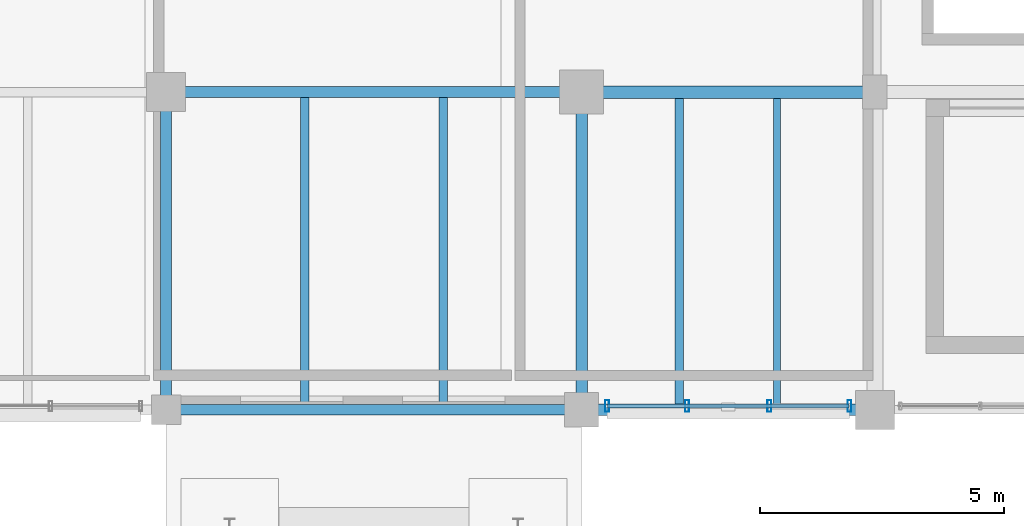
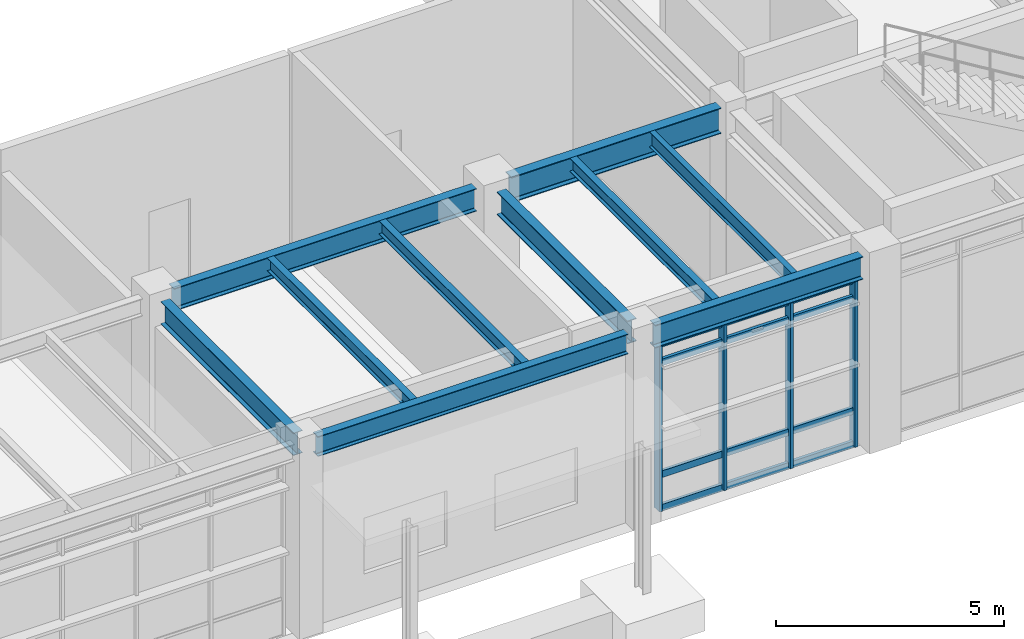
# One storey, part 108 of 203: 10 beams, 8 members, 1 element without a shape of its own.
"""IFC4 building model written with IfcOpenShell, lengths in metres."""

from ifc_helpers import new_model, si_unit, direction, frame, origin, origin_2d, place, context, subcontext, project, spatial, hollow_rectangle, i_section, extrude, material, material_profile, profile_set, type_object, element, aggregate, save


model = new_model("IFC4")

# Units and contexts
model_context = context("Model", 3, precision=1e-05, world=origin(), true_north=direction((0.0, 1.0)))
body_context = subcontext(model_context, "Body", "Model", "MODEL_VIEW")
ifc_project = project(units=[si_unit("LENGTHUNIT", "METRE"), si_unit("AREAUNIT", "SQUARE_METRE"), si_unit("VOLUMEUNIT", "CUBIC_METRE"), si_unit("PLANEANGLEUNIT", "RADIAN"), si_unit("MASSUNIT", "GRAM", prefix="KILO"), si_unit("THERMODYNAMICTEMPERATUREUNIT", "KELVIN"), si_unit("POWERUNIT", "WATT")], contexts=[model_context])

# Site, building, storey
site_placement = place(None, origin())
site = spatial("IfcSite", under=ifc_project, at=site_placement, CompositionType="ELEMENT")
building_placement = place(site_placement, origin())
building = spatial("IfcBuilding", under=site, at=building_placement, Name="Tepalcoro Natatorium and Aquatics Centre", CompositionType="ELEMENT")
storey_placement = place(building_placement, origin())
storey = spatial("IfcBuildingStorey", under=building, at=storey_placement, Name="L00", CompositionType="ELEMENT", Elevation=0.0)

# Beams
ifc_material_1 = material(Name="Steel ASTM A992 Grade 50 (Fy 345 MPa)", Category="steel")
ifc_material_profile_1 = material_profile(ifc_material_1, i_section(OverallWidth=0.22802734375, OverallDepth=0.60693359375, WebThickness=0.010986328125, FlangeThickness=0.01708984375, FilletRadius=0.013916015625, at=origin_2d()), Name="W24X76")
ifc_profile_set_1 = profile_set([ifc_material_profile_1], Name="Steel ASTM A992 Grade 50 (Fy 345 MPa)")
beam_type_1 = type_object("IfcBeamType", Name="BM_W24x76", PredefinedType="BEAM", material=ifc_profile_set_1)
beam_1_placement = place(storey_placement, frame((150.885009765625, 13.0, 4.821533203125), z_axis=(1.0, 0.0, 0.0), x_axis=(0.0, 1.0, 0.0)))
element("IfcBeam", 1, at=beam_1_placement, inside=storey, type_object=beam_type_1, Name="V2 L00 Grid Girder X", PredefinedType="BEAM", context=body_context, shape_type="SweptSolid", body=[
    extrude(i_section(OverallWidth=0.22802734375, OverallDepth=0.60693359375, WebThickness=0.010986328125, FlangeThickness=0.01708984375, FilletRadius=0.013916015625, at=origin_2d()), origin(), (0.0, 0.0, 1.0), 7.679931640625),
])
beam_2_placement = place(storey_placement, frame((150.5, 6.784912109375, 4.821533203125), z_axis=(0.0, 1.0, 0.0), x_axis=(-1.0, 0.0, 0.0)))
element("IfcBeam", 2, at=beam_2_placement, inside=storey, type_object=beam_type_1, Name="V2 L00 Grid Girder Y", PredefinedType="BEAM", context=body_context, shape_type="SweptSolid", body=[
    extrude(i_section(OverallWidth=0.22802734375, OverallDepth=0.60693359375, WebThickness=0.010986328125, FlangeThickness=0.01708984375, FilletRadius=0.013916015625, at=origin_2d()), origin(), (0.0, 0.0, 1.0), 5.830078125),
])
ifc_material_profile_2 = material_profile(ifc_material_1, i_section(OverallWidth=0.22998046875, OverallDepth=0.616943359375, WebThickness=0.012939453125, FlangeThickness=0.02197265625, FilletRadius=0.013916015625, at=origin_2d()), Name="W24X94")
ifc_profile_set_2 = profile_set([ifc_material_profile_2], Name="Steel ASTM A992 Grade 50 (Fy 345 MPa)")
beam_type_2 = type_object("IfcBeamType", Name="BM_W24x94", PredefinedType="BEAM", material=ifc_profile_set_2)
beam_3_placement = place(storey_placement, frame((159.0, 6.8349609375, 4.81640625), z_axis=(0.0, 1.0, 0.0), x_axis=(-1.0, 0.0, 0.0)))
element("IfcBeam", 3, at=beam_3_placement, inside=storey, type_object=beam_type_2, Name="V2 L00 Grid Girder Y", PredefinedType="BEAM", context=body_context, shape_type="SweptSolid", body=[
    extrude(i_section(OverallWidth=0.22998046875, OverallDepth=0.616943359375, WebThickness=0.012939453125, FlangeThickness=0.02197265625, FilletRadius=0.013916015625, at=origin_2d()), origin(), (0.0, 0.0, 1.0), 5.72998046875),
])
ifc_material_profile_3 = material_profile(ifc_material_1, i_section(OverallWidth=0.25390625, OverallDepth=0.68798828125, WebThickness=0.012939453125, FlangeThickness=0.02099609375, FilletRadius=0.013916015625, at=origin_2d()), Name="W27X102")
ifc_profile_set_3 = profile_set([ifc_material_profile_3], Name="Steel ASTM A992 Grade 50 (Fy 345 MPa)")
beam_type_3 = type_object("IfcBeamType", Name="BM_W27x102", PredefinedType="BEAM", material=ifc_profile_set_3)
beam_4_placement = place(storey_placement, frame((159.43505859375, 13.0, 4.781005859375), z_axis=(1.0, 0.0, 0.0), x_axis=(0.0, 1.0, 0.0)))
element("IfcBeam", 4, at=beam_4_placement, inside=storey, type_object=beam_type_3, Name="V2 L00 Grid Girder X", PredefinedType="BEAM", context=body_context, shape_type="SweptSolid", body=[
    extrude(i_section(OverallWidth=0.25390625, OverallDepth=0.68798828125, WebThickness=0.012939453125, FlangeThickness=0.02099609375, FilletRadius=0.013916015625, at=origin_2d()), origin(), (0.0, 0.0, 1.0), 5.329833984375),
])

# Curtain wall, members
ifc_material_2 = material(Name="Bronze-Anodised Extruded Aluminium Alloy EN AW-6063 T6", Category="aluminium")
curtain_wall_type = type_object("IfcCurtainWallType", Name="CW_V4_VILLAGE", PredefinedType="USERDEFINED", material=ifc_material_2)
curtain_wall_placement = place(storey_placement, origin())
curtain_wall = element("IfcCurtainWall", 5, at=curtain_wall_placement, inside=storey, type_object=curtain_wall_type, Name="V2 L00 S Unitised Curtain Wall Bay 3", ObjectType="UNITISED STOREFRONT", PredefinedType="USERDEFINED")
ifc_material_profile_4 = material_profile(ifc_material_2, hollow_rectangle(XDim=0.080078125, YDim=0.239990234375, WallThickness=0.0048828125, at=origin_2d()), Name="AL80X240X5")
ifc_profile_set_4 = profile_set([ifc_material_profile_4], Name="Bronze-Anodised Extruded Aluminium Alloy EN AW-6063 T6")
member_type_1 = type_object("IfcMemberType", Name="CW_MUL_80x240", PredefinedType="MULLION", material=ifc_profile_set_4)
member_1_placement = place(storey_placement, frame((159.52001953125, 6.576171875, 0.02001953125), z_axis=(0.0, 0.0, 1.0), x_axis=(1.0, 0.0, 0.0)))
member_1 = element("IfcMember", 6, at=member_1_placement, type_object=member_type_1, Name="CW_V4_VILLAGE Curtain Wall Mullion", PredefinedType="MULLION", context=body_context, shape_type="SweptSolid", body=[
    extrude(hollow_rectangle(XDim=0.080078125, YDim=0.239990234375, WallThickness=0.0048828125, at=origin_2d()), origin(), (0.0, 0.0, 1.0), 4.4580078125),
])
member_2_placement = place(storey_placement, frame((161.159912109375, 6.576171875, 0.02001953125), z_axis=(0.0, 0.0, 1.0), x_axis=(1.0, 0.0, 0.0)))
member_2 = element("IfcMember", 7, at=member_2_placement, type_object=member_type_1, Name="CW_V4_VILLAGE Curtain Wall Mullion", PredefinedType="MULLION", context=body_context, shape_type="SweptSolid", body=[
    extrude(hollow_rectangle(XDim=0.080078125, YDim=0.239990234375, WallThickness=0.0048828125, at=origin_2d()), origin(), (0.0, 0.0, 1.0), 4.4580078125),
])
member_3_placement = place(storey_placement, frame((162.840087890625, 6.576171875, 0.02001953125), z_axis=(0.0, 0.0, 1.0), x_axis=(1.0, 0.0, 0.0)))
member_3 = element("IfcMember", 8, at=member_3_placement, type_object=member_type_1, Name="CW_V4_VILLAGE Curtain Wall Mullion", PredefinedType="MULLION", context=body_context, shape_type="SweptSolid", body=[
    extrude(hollow_rectangle(XDim=0.080078125, YDim=0.239990234375, WallThickness=0.0048828125, at=origin_2d()), origin(), (0.0, 0.0, 1.0), 4.4580078125),
])
member_4_placement = place(storey_placement, frame((164.47998046875, 6.576171875, 0.02001953125), z_axis=(0.0, 0.0, 1.0), x_axis=(1.0, 0.0, 0.0)))
member_4 = element("IfcMember", 9, at=member_4_placement, type_object=member_type_1, Name="CW_V4_VILLAGE Curtain Wall Mullion", PredefinedType="MULLION", context=body_context, shape_type="SweptSolid", body=[
    extrude(hollow_rectangle(XDim=0.080078125, YDim=0.239990234375, WallThickness=0.0048828125, at=origin_2d()), origin(), (0.0, 0.0, 1.0), 4.4580078125),
])
ifc_material_profile_5 = material_profile(ifc_material_2, hollow_rectangle(XDim=0.080078125, YDim=0.179931640625, WallThickness=0.0048828125, at=origin_2d()), Name="AL80X180X5")
ifc_profile_set_5 = profile_set([ifc_material_profile_5], Name="Bronze-Anodised Extruded Aluminium Alloy EN AW-6063 T6")
member_type_2 = type_object("IfcMemberType", Name="CW_TRN_80x180", PredefinedType="USERDEFINED", material=ifc_profile_set_5)
member_5_placement = place(storey_placement, frame((159.530029296875, 6.576171875, 0.050048828125), z_axis=(1.0, 0.0, 0.0), x_axis=(0.0, 1.0, 0.0)))
member_5 = element("IfcMember", 10, at=member_5_placement, type_object=member_type_2, Name="CW_V4_VILLAGE Curtain Wall Transom", ObjectType="TRANSOM", PredefinedType="USERDEFINED", context=body_context, shape_type="SweptSolid", body=[
    extrude(hollow_rectangle(XDim=0.080078125, YDim=0.179931640625, WallThickness=0.0048828125, at=origin_2d()), origin(), (0.0, 0.0, 1.0), 4.93994140625),
])
member_6_placement = place(storey_placement, frame((159.530029296875, 6.576171875, 0.949951171875), z_axis=(1.0, 0.0, 0.0), x_axis=(0.0, 1.0, 0.0)))
member_6 = element("IfcMember", 11, at=member_6_placement, type_object=member_type_2, Name="CW_V4_VILLAGE Curtain Wall Transom", ObjectType="TRANSOM", PredefinedType="USERDEFINED", context=body_context, shape_type="SweptSolid", body=[
    extrude(hollow_rectangle(XDim=0.080078125, YDim=0.179931640625, WallThickness=0.0048828125, at=origin_2d()), origin(), (0.0, 0.0, 1.0), 4.93994140625),
])
member_7_placement = place(storey_placement, frame((159.530029296875, 6.576171875, 3.947998046875), z_axis=(1.0, 0.0, 0.0), x_axis=(0.0, 1.0, 0.0)))
member_7 = element("IfcMember", 12, at=member_7_placement, type_object=member_type_2, Name="CW_V4_VILLAGE Curtain Wall Transom", ObjectType="TRANSOM", PredefinedType="USERDEFINED", context=body_context, shape_type="SweptSolid", body=[
    extrude(hollow_rectangle(XDim=0.080078125, YDim=0.179931640625, WallThickness=0.0048828125, at=origin_2d()), origin(), (0.0, 0.0, 1.0), 4.93994140625),
])
member_8_placement = place(storey_placement, frame((159.530029296875, 6.576171875, 4.447998046875), z_axis=(1.0, 0.0, 0.0), x_axis=(0.0, 1.0, 0.0)))
member_8 = element("IfcMember", 13, at=member_8_placement, type_object=member_type_2, Name="CW_V4_VILLAGE Curtain Wall Transom", ObjectType="TRANSOM", PredefinedType="USERDEFINED", context=body_context, shape_type="SweptSolid", body=[
    extrude(hollow_rectangle(XDim=0.080078125, YDim=0.179931640625, WallThickness=0.0048828125, at=origin_2d()), origin(), (0.0, 0.0, 1.0), 4.93994140625),
])
aggregate(curtain_wall, [member_1, member_2, member_3, member_4, member_5, member_6, member_7, member_8])

# Beams
ifc_material_profile_6 = material_profile(ifc_material_1, i_section(OverallWidth=0.1708984375, OverallDepth=0.35107421875, WebThickness=0.007080078125, FlangeThickness=0.010009765625, FilletRadius=0.013916015625, at=origin_2d()), Name="W14X30")
ifc_profile_set_6 = profile_set([ifc_material_profile_6], Name="Steel ASTM A992 Grade 50 (Fy 345 MPa)")
beam_type_4 = type_object("IfcBeamType", Name="JS_W14x30", PredefinedType="JOIST", material=ifc_profile_set_6)
beam_5_placement = place(storey_placement, frame((153.333251953125, 6.60498046875, 4.949462890625), z_axis=(0.0, 1.0, 0.0), x_axis=(-1.0, 0.0, 0.0)))
element("IfcBeam", 14, at=beam_5_placement, inside=storey, type_object=beam_type_4, Name="V2 L00 Floor Joist", PredefinedType="JOIST", context=body_context, shape_type="SweptSolid", body=[
    extrude(i_section(OverallWidth=0.1708984375, OverallDepth=0.35107421875, WebThickness=0.007080078125, FlangeThickness=0.010009765625, FilletRadius=0.013916015625, at=origin_2d()), origin(), (0.0, 0.0, 1.0), 6.281005859375),
])
ifc_material_profile_7 = material_profile(ifc_material_1, i_section(OverallWidth=0.172119140625, OverallDepth=0.35791015625, WebThickness=0.008056640625, FlangeThickness=0.012939453125, FilletRadius=0.013916015625, at=origin_2d()), Name="W14X38")
ifc_profile_set_7 = profile_set([ifc_material_profile_7], Name="Steel ASTM A992 Grade 50 (Fy 345 MPa)")
beam_type_5 = type_object("IfcBeamType", Name="JS_W14x38", PredefinedType="JOIST", material=ifc_profile_set_7)
beam_6_placement = place(storey_placement, frame((156.166748046875, 6.60498046875, 4.946044921875), z_axis=(0.0, 1.0, 0.0), x_axis=(-1.0, 0.0, 0.0)))
element("IfcBeam", 15, at=beam_6_placement, inside=storey, type_object=beam_type_5, Name="V2 L00 Floor Joist", PredefinedType="JOIST", context=body_context, shape_type="SweptSolid", body=[
    extrude(i_section(OverallWidth=0.172119140625, OverallDepth=0.35791015625, WebThickness=0.008056640625, FlangeThickness=0.012939453125, FilletRadius=0.013916015625, at=origin_2d()), origin(), (0.0, 0.0, 1.0), 6.281005859375),
])
beam_7_placement = place(storey_placement, frame((161.0, 6.614501953125, 4.946044921875), z_axis=(0.0, 1.0, 0.0), x_axis=(-1.0, 0.0, 0.0)))
element("IfcBeam", 16, at=beam_7_placement, inside=storey, type_object=beam_type_5, Name="V2 L00 Floor Joist", PredefinedType="JOIST", context=body_context, shape_type="SweptSolid", body=[
    extrude(i_section(OverallWidth=0.172119140625, OverallDepth=0.35791015625, WebThickness=0.008056640625, FlangeThickness=0.012939453125, FilletRadius=0.013916015625, at=origin_2d()), origin(), (0.0, 0.0, 1.0), 6.258544921875),
])
ifc_material_profile_8 = material_profile(ifc_material_1, i_section(OverallWidth=0.139892578125, OverallDepth=0.404052734375, WebThickness=0.007080078125, FlangeThickness=0.010986328125, FilletRadius=0.013916015625, at=origin_2d()), Name="W16X31")
ifc_profile_set_8 = profile_set([ifc_material_profile_8], Name="Steel ASTM A992 Grade 50 (Fy 345 MPa)")
beam_type_6 = type_object("IfcBeamType", Name="JS_W16x31", PredefinedType="JOIST", material=ifc_profile_set_8)
beam_8_placement = place(storey_placement, frame((163.0, 6.614501953125, 4.923095703125), z_axis=(0.0, 1.0, 0.0), x_axis=(-1.0, 0.0, 0.0)))
element("IfcBeam", 17, at=beam_8_placement, inside=storey, type_object=beam_type_6, Name="V2 L00 Floor Joist", PredefinedType="JOIST", context=body_context, shape_type="SweptSolid", body=[
    extrude(i_section(OverallWidth=0.139892578125, OverallDepth=0.404052734375, WebThickness=0.007080078125, FlangeThickness=0.010986328125, FilletRadius=0.013916015625, at=origin_2d()), origin(), (0.0, 0.0, 1.0), 6.258544921875),
])
ifc_material_profile_9 = material_profile(ifc_material_1, i_section(OverallWidth=0.2099609375, OverallDepth=0.535888671875, WebThickness=0.010986328125, FlangeThickness=0.01708984375, FilletRadius=0.013916015625, at=origin_2d()), Name="W21X68")
ifc_profile_set_9 = profile_set([ifc_material_profile_9], Name="Steel ASTM A992 Grade 50 (Fy 345 MPa)")
beam_type_7 = type_object("IfcBeamType", Name="SP_W21x68", PredefinedType="SPANDREL", material=ifc_profile_set_9)
beam_9_placement = place(storey_placement, frame((150.784912109375, 6.5, 4.85693359375), z_axis=(1.0, 0.0, 0.0), x_axis=(0.0, 1.0, 0.0)))
element("IfcBeam", 18, at=beam_9_placement, inside=storey, type_object=beam_type_7, Name="V2 L00 Grid Girder X", PredefinedType="SPANDREL", context=body_context, shape_type="SweptSolid", body=[
    extrude(i_section(OverallWidth=0.2099609375, OverallDepth=0.535888671875, WebThickness=0.010986328125, FlangeThickness=0.01708984375, FilletRadius=0.013916015625, at=origin_2d()), origin(), (0.0, 0.0, 1.0), 7.880126953125),
])
ifc_material_profile_10 = material_profile(ifc_material_1, i_section(OverallWidth=0.22900390625, OverallDepth=0.612060546875, WebThickness=0.011962890625, FlangeThickness=0.02001953125, FilletRadius=0.013916015625, at=origin_2d()), Name="W24X84")
ifc_profile_set_10 = profile_set([ifc_material_profile_10], Name="Steel ASTM A992 Grade 50 (Fy 345 MPa)")
beam_type_8 = type_object("IfcBeamType", Name="SP_W24x84", PredefinedType="SPANDREL", material=ifc_profile_set_10)
beam_10_placement = place(storey_placement, frame((159.3349609375, 6.5, 4.819091796875), z_axis=(1.0, 0.0, 0.0), x_axis=(0.0, 1.0, 0.0)))
element("IfcBeam", 19, at=beam_10_placement, inside=storey, type_object=beam_type_8, Name="V2 L00 Grid Girder X", PredefinedType="SPANDREL", context=body_context, shape_type="SweptSolid", body=[
    extrude(i_section(OverallWidth=0.22900390625, OverallDepth=0.612060546875, WebThickness=0.011962890625, FlangeThickness=0.02001953125, FilletRadius=0.013916015625, at=origin_2d()), origin(), (0.0, 0.0, 1.0), 5.280029296875),
])

save(model, "model.ifc")
